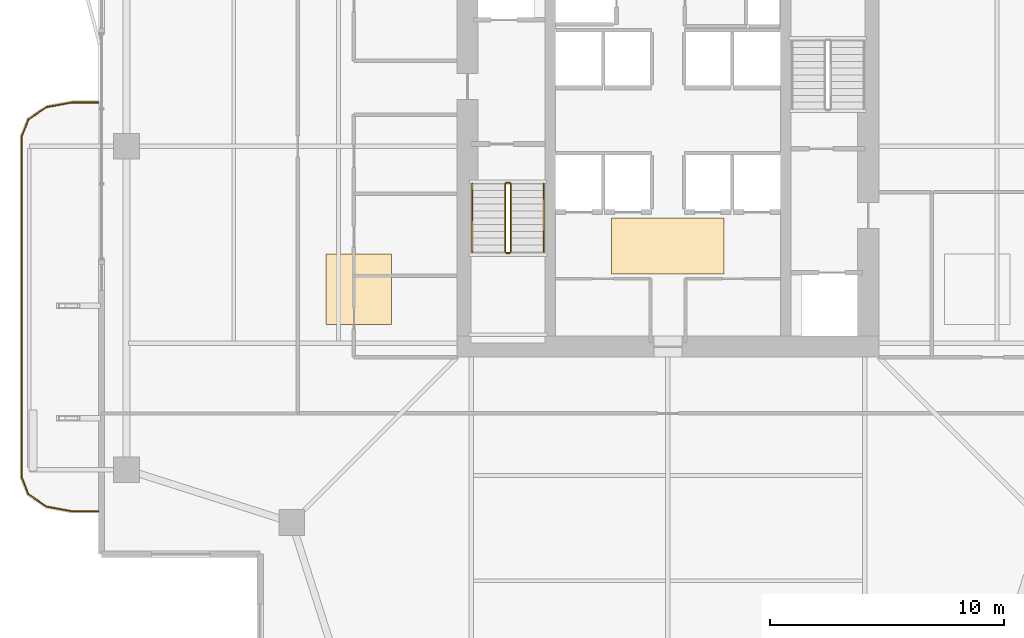
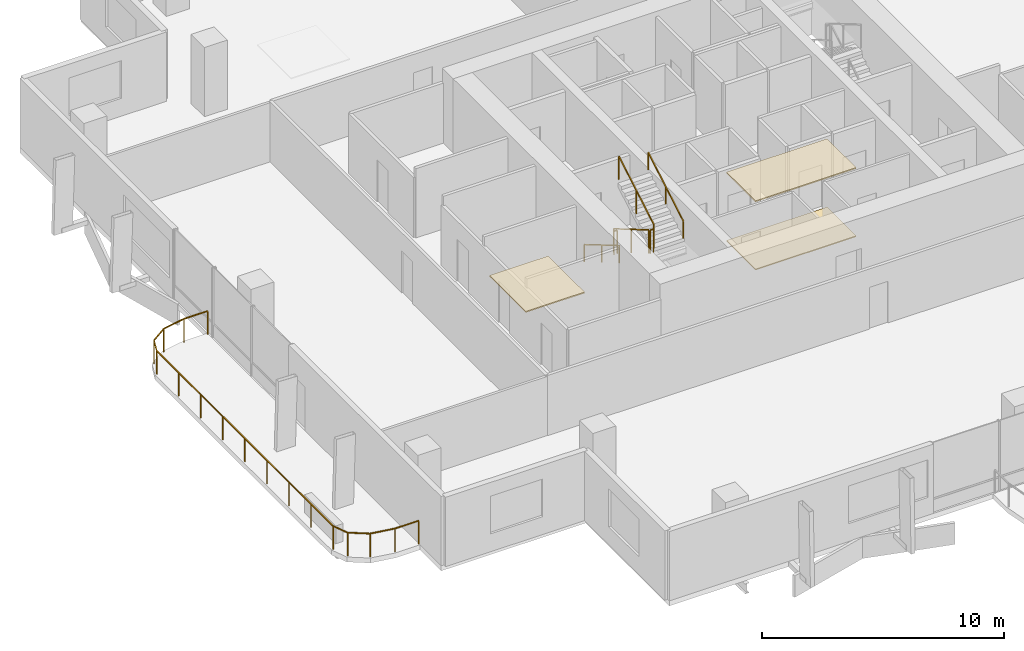
# One storey, part 21 of 23: 7 railings, 3 coverings.
"""IFC4 building model written with IfcOpenShell, lengths in metres."""

from ifc_helpers import new_model, si_unit, direction, frame, origin, origin_2d, place, context, subcontext, project, spatial, polyline, rectangle, outline, extrude, material, layer, layer_set, type_object, element, save


model = new_model("IFC4")

# Units and contexts
model_context = context("Model", 3, precision=1e-05, world=origin(), true_north=direction((0.0, 1.0)))
body_context = subcontext(model_context, "Body", "Model", "MODEL_VIEW")
ifc_project = project(units=[si_unit("LENGTHUNIT", "METRE"), si_unit("AREAUNIT", "SQUARE_METRE"), si_unit("VOLUMEUNIT", "CUBIC_METRE"), si_unit("PLANEANGLEUNIT", "RADIAN"), si_unit("MASSUNIT", "GRAM", prefix="KILO")], contexts=[model_context])

# Site, building, storey
site_placement = place(None, origin())
site = spatial("IfcSite", under=ifc_project, at=site_placement, CompositionType="ELEMENT")
building_placement = place(site_placement, origin())
building = spatial("IfcBuilding", under=site, at=building_placement, Name="Belovzor Exchange Tower", CompositionType="ELEMENT")
storey_placement = place(building_placement, frame((0.0, 0.0, 157.050048828125)))
storey = spatial("IfcBuildingStorey", under=building, at=storey_placement, Name="L38", CompositionType="ELEMENT", Elevation=157.050048828125)

# Railings
ifc_material_1 = material(Name="Stainless Steel Grade 304", Category="steel")
railing_type_1 = type_object("IfcRailingType", Name="Brushed Stainless Steel Stair Handrail 900", PredefinedType="HANDRAIL", material=ifc_material_1)
railing_1_placement = place(storey_placement, frame((20.449951171875, 27.199951171875, 0.17041015625)))
element("IfcRailing", 1, at=railing_1_placement, inside=storey, type_object=railing_type_1, Name="L38 ST-1 stair handrail 1", PredefinedType="HANDRAIL", context=body_context, shape_type="SweptSolid", body=[
    extrude(rectangle(XDim=0.048095703125, YDim=0.048095703125, at=origin_2d()), frame((0.0, 0.0, 0.8759765625), z_axis=(0.0, -0.86209462966, 0.506747323142), x_axis=(1.0, 0.0, 0.0)), (0.0, 0.0, 1.0), 3.36376953125),
    extrude(rectangle(XDim=0.0419921875, YDim=0.0419921875, at=origin_2d()), origin(), (0.0, 0.0, 1.0), 0.851806640625),
    extrude(rectangle(XDim=0.0419921875, YDim=0.0419921875, at=origin_2d()), frame((0.0, -1.449951171875, 0.852294921875)), (0.0, 0.0, 1.0), 0.851806640625),
    extrude(rectangle(XDim=0.0419921875, YDim=0.0419921875, at=origin_2d()), frame((0.0, -2.89990234375, 1.70458984375)), (0.0, 0.0, 1.0), 0.851806640625),
])
railing_2_placement = place(storey_placement, frame((23.5, 24.300048828125, 2.04541015625)))
element("IfcRailing", 2, at=railing_2_placement, inside=storey, type_object=railing_type_1, Name="L38 ST-1 stair handrail 2", PredefinedType="HANDRAIL", context=body_context, shape_type="SweptSolid", body=[
    extrude(rectangle(XDim=0.048095703125, YDim=0.048095703125, at=origin_2d()), frame((0.0, 0.0, 0.8759765625), z_axis=(0.0, 0.86209462966, 0.506747323142), x_axis=(-1.0, 0.0, 0.0)), (0.0, 0.0, 1.0), 3.36376953125),
    extrude(rectangle(XDim=0.0419921875, YDim=0.0419921875, at=origin_2d()), origin(), (0.0, 0.0, 1.0), 0.851806640625),
    extrude(rectangle(XDim=0.0419921875, YDim=0.0419921875, at=origin_2d()), frame((0.0, 1.449951171875, 0.852294921875)), (0.0, 0.0, 1.0), 0.851806640625),
    extrude(rectangle(XDim=0.0419921875, YDim=0.0419921875, at=origin_2d()), frame((0.0, 2.89990234375, 1.70458984375)), (0.0, 0.0, 1.0), 0.851806640625),
])
ifc_material_2 = material(Name="Stainless Steel and Laminated Safety Glass", Category="steel")
railing_type_2 = type_object("IfcRailingType", Name="Laminated Glass & Stainless Steel Balcony Balustrade 1200", PredefinedType="BALUSTRADE", material=ifc_material_2)
railing_3_placement = place(storey_placement, frame((4.489990234375, 30.669921875, 0.0)))
element("IfcRailing", 3, at=railing_3_placement, inside=storey, type_object=railing_type_2, Name="GR-1 Balcony Balustrade L38 West", PredefinedType="BALUSTRADE", context=body_context, shape_type="SweptSolid", body=[
    extrude(rectangle(XDim=0.048095703125, YDim=0.048095703125, at=origin_2d()), frame((0.0, 0.0, 1.17578125), z_axis=(-1.0, 0.0, 0.0), x_axis=(0.0, -1.0, 0.0)), (0.0, 0.0, 1.0), 1.133056640625),
    extrude(rectangle(XDim=0.048095703125, YDim=0.048095703125, at=origin_2d()), frame((-1.133056640625, 0.0, 1.17578125), z_axis=(-0.983644145941, -0.180122719713, 0.0), x_axis=(0.180122719713, -0.983644145941, 0.0)), (0.0, 0.0, 1.0), 1.09375),
    extrude(rectangle(XDim=0.048095703125, YDim=0.048095703125, at=origin_2d()), frame((-2.208984375, -0.197021484375, 1.17578125), z_axis=(-0.826614792125, -0.562768145367, 0.0), x_axis=(0.562768145367, -0.826614792125, 0.0)), (0.0, 0.0, 1.0), 0.9326171875),
    extrude(rectangle(XDim=0.048095703125, YDim=0.048095703125, at=origin_2d()), frame((-2.97998046875, -0.721923828125, 1.17578125), z_axis=(-0.365612923861, -0.930766990125, 0.0), x_axis=(0.930766990125, -0.365612923861, 0.0)), (0.0, 0.0, 1.0), 0.765869140625),
    extrude(rectangle(XDim=0.048095703125, YDim=0.048095703125, at=origin_2d()), frame((-3.260009765625, -1.434814453125, 1.17578125), z_axis=(0.0, -1.0, 0.0), x_axis=(1.0, 0.0, 0.0)), (0.0, 0.0, 1.0), 14.570068359375),
    extrude(rectangle(XDim=0.048095703125, YDim=0.048095703125, at=origin_2d()), frame((-3.260009765625, -16.0048828125, 1.17578125), z_axis=(0.365504480807, -0.930809580156, 0.0), x_axis=(0.930809580156, 0.365504480807, 0.0)), (0.0, 0.0, 1.0), 0.76611328125),
    extrude(rectangle(XDim=0.048095703125, YDim=0.048095703125, at=origin_2d()), frame((-2.97998046875, -16.718017578125, 1.17578125), z_axis=(0.826614792125, -0.562768145367, 0.0), x_axis=(0.562768145367, 0.826614792125, 0.0)), (0.0, 0.0, 1.0), 0.9326171875),
    extrude(rectangle(XDim=0.048095703125, YDim=0.048095703125, at=origin_2d()), frame((-2.208984375, -17.242919921875, 1.17578125), z_axis=(0.983644145941, -0.180122719713, 0.0), x_axis=(0.180122719713, 0.983644145941, 0.0)), (0.0, 0.0, 1.0), 1.09375),
    extrude(rectangle(XDim=0.048095703125, YDim=0.048095703125, at=origin_2d()), frame((-1.133056640625, -17.43994140625, 1.17578125), z_axis=(1.0, 0.0, 0.0), x_axis=(0.0, 1.0, 0.0)), (0.0, 0.0, 1.0), 1.133056640625),
    extrude(rectangle(XDim=0.0419921875, YDim=0.0419921875, at=origin_2d()), origin(), (0.0, 0.0, 1.0), 1.15185546875),
    extrude(rectangle(XDim=0.0419921875, YDim=0.0419921875, at=origin_2d()), frame((-1.133056640625, 0.0, 0.0)), (0.0, 0.0, 1.0), 1.15185546875),
    extrude(rectangle(XDim=0.0419921875, YDim=0.0419921875, at=origin_2d()), frame((-2.208984375, -0.197021484375, 0.0)), (0.0, 0.0, 1.0), 1.15185546875),
    extrude(rectangle(XDim=0.0419921875, YDim=0.0419921875, at=origin_2d()), frame((-2.97998046875, -0.721923828125, 0.0)), (0.0, 0.0, 1.0), 1.15185546875),
    extrude(rectangle(XDim=0.0419921875, YDim=0.0419921875, at=origin_2d()), frame((-3.260009765625, -1.434814453125, 0.0)), (0.0, 0.0, 1.0), 1.15185546875),
    extrude(rectangle(XDim=0.0419921875, YDim=0.0419921875, at=origin_2d()), frame((-3.260009765625, -3.256103515625, 0.0)), (0.0, 0.0, 1.0), 1.15185546875),
    extrude(rectangle(XDim=0.0419921875, YDim=0.0419921875, at=origin_2d()), frame((-3.260009765625, -5.077392578125, 0.0)), (0.0, 0.0, 1.0), 1.15185546875),
    extrude(rectangle(XDim=0.0419921875, YDim=0.0419921875, at=origin_2d()), frame((-3.260009765625, -6.898681640625, 0.0)), (0.0, 0.0, 1.0), 1.15185546875),
    extrude(rectangle(XDim=0.0419921875, YDim=0.0419921875, at=origin_2d()), frame((-3.260009765625, -8.7197265625, 0.0)), (0.0, 0.0, 1.0), 1.15185546875),
    extrude(rectangle(XDim=0.0419921875, YDim=0.0419921875, at=origin_2d()), frame((-3.260009765625, -10.541015625, 0.0)), (0.0, 0.0, 1.0), 1.15185546875),
    extrude(rectangle(XDim=0.0419921875, YDim=0.0419921875, at=origin_2d()), frame((-3.260009765625, -12.3623046875, 0.0)), (0.0, 0.0, 1.0), 1.15185546875),
    extrude(rectangle(XDim=0.0419921875, YDim=0.0419921875, at=origin_2d()), frame((-3.260009765625, -14.18359375, 0.0)), (0.0, 0.0, 1.0), 1.15185546875),
    extrude(rectangle(XDim=0.0419921875, YDim=0.0419921875, at=origin_2d()), frame((-3.260009765625, -16.0048828125, 0.0)), (0.0, 0.0, 1.0), 1.15185546875),
    extrude(rectangle(XDim=0.0419921875, YDim=0.0419921875, at=origin_2d()), frame((-2.97998046875, -16.718017578125, 0.0)), (0.0, 0.0, 1.0), 1.15185546875),
    extrude(rectangle(XDim=0.0419921875, YDim=0.0419921875, at=origin_2d()), frame((-2.208984375, -17.242919921875, 0.0)), (0.0, 0.0, 1.0), 1.15185546875),
    extrude(rectangle(XDim=0.0419921875, YDim=0.0419921875, at=origin_2d()), frame((-1.133056640625, -17.43994140625, 0.0)), (0.0, 0.0, 1.0), 1.15185546875),
    extrude(rectangle(XDim=0.0419921875, YDim=0.0419921875, at=origin_2d()), frame((0.0, -17.43994140625, 0.0)), (0.0, 0.0, 1.0), 1.15185546875),
])
ifc_material_3 = material(Name="Steel S355", Category="steel")
railing_type_3 = type_object("IfcRailingType", Name="Painted Steel Stairwell Guardrail 1200", PredefinedType="GUARDRAIL", material=ifc_material_3)
railing_4_placement = place(storey_placement, frame((21.85009765625, 27.199951171875, 0.17041015625)))
element("IfcRailing", 4, at=railing_4_placement, inside=storey, type_object=railing_type_3, Name="L38 ST-1 stair guard 1", PredefinedType="GUARDRAIL", context=body_context, shape_type="SweptSolid", body=[
    extrude(rectangle(XDim=0.048095703125, YDim=0.048095703125, at=origin_2d()), frame((0.0, 0.0, 1.17578125), z_axis=(0.0, -0.86209462966, 0.506747323142), x_axis=(1.0, 0.0, 0.0)), (0.0, 0.0, 1.0), 3.36376953125),
    extrude(rectangle(XDim=0.0419921875, YDim=0.0419921875, at=origin_2d()), origin(), (0.0, 0.0, 1.0), 1.15185546875),
    extrude(rectangle(XDim=0.0419921875, YDim=0.0419921875, at=origin_2d()), frame((0.0, -1.449951171875, 0.852294921875)), (0.0, 0.0, 1.0), 1.15185546875),
    extrude(rectangle(XDim=0.0419921875, YDim=0.0419921875, at=origin_2d()), frame((0.0, -2.89990234375, 1.70458984375)), (0.0, 0.0, 1.0), 1.15185546875),
])
railing_5_placement = place(storey_placement, frame((21.89990234375, 24.25, 1.875)))
element("IfcRailing", 5, at=railing_5_placement, inside=storey, type_object=railing_type_3, Name="L38 ST-1 stair guard 2", PredefinedType="GUARDRAIL", context=body_context, shape_type="SweptSolid", body=[
    extrude(rectangle(XDim=0.048095703125, YDim=0.048095703125, at=origin_2d()), frame((0.0, 0.0, 1.17578125), z_axis=(1.0, 0.0, 0.0), x_axis=(0.0, 1.0, 0.0)), (0.0, 0.0, 1.0), 0.150146484375),
    extrude(rectangle(XDim=0.0419921875, YDim=0.0419921875, at=origin_2d()), origin(), (0.0, 0.0, 1.0), 1.15185546875),
    extrude(rectangle(XDim=0.0419921875, YDim=0.0419921875, at=origin_2d()), frame((0.150146484375, 0.0, 0.0)), (0.0, 0.0, 1.0), 1.15185546875),
])
railing_6_placement = place(storey_placement, frame((22.10009765625, 24.300048828125, 2.04541015625)))
element("IfcRailing", 6, at=railing_6_placement, inside=storey, type_object=railing_type_3, Name="L38 ST-1 stair guard 3", PredefinedType="GUARDRAIL", context=body_context, shape_type="SweptSolid", body=[
    extrude(rectangle(XDim=0.048095703125, YDim=0.048095703125, at=origin_2d()), frame((0.0, 0.0, 1.17578125), z_axis=(0.0, 0.86209462966, 0.506747323142), x_axis=(-1.0, 0.0, 0.0)), (0.0, 0.0, 1.0), 3.36376953125),
    extrude(rectangle(XDim=0.0419921875, YDim=0.0419921875, at=origin_2d()), origin(), (0.0, 0.0, 1.0), 1.15185546875),
    extrude(rectangle(XDim=0.0419921875, YDim=0.0419921875, at=origin_2d()), frame((0.0, 1.449951171875, 0.852294921875)), (0.0, 0.0, 1.0), 1.15185546875),
    extrude(rectangle(XDim=0.0419921875, YDim=0.0419921875, at=origin_2d()), frame((0.0, 2.89990234375, 1.70458984375)), (0.0, 0.0, 1.0), 1.15185546875),
])
railing_7_placement = place(storey_placement, frame((21.89990234375, 27.25, 0.0)))
element("IfcRailing", 7, at=railing_7_placement, inside=storey, type_object=railing_type_3, Name="L38 ST-1 stair guard 4", PredefinedType="GUARDRAIL", context=body_context, shape_type="SweptSolid", body=[
    extrude(rectangle(XDim=0.048095703125, YDim=0.048095703125, at=origin_2d()), frame((0.0, 0.0, 1.17578125), z_axis=(1.0, 0.0, 0.0), x_axis=(0.0, 1.0, 0.0)), (0.0, 0.0, 1.0), 0.150146484375),
    extrude(rectangle(XDim=0.0419921875, YDim=0.0419921875, at=origin_2d()), origin(), (0.0, 0.0, 1.0), 1.15185546875),
    extrude(rectangle(XDim=0.0419921875, YDim=0.0419921875, at=origin_2d()), frame((0.150146484375, 0.0, 0.0)), (0.0, 0.0, 1.0), 1.15185546875),
])

# Coverings
ifc_material_4 = material(Name="Perforated Powder-Coated Aluminium", Category="aluminium")
ifc_layer_1 = layer(ifc_material_4, 0.06005859375)
ifc_layer_set_1 = layer_set([ifc_layer_1], Name="Perforated Powder-Coated Aluminium")
covering_type_1 = type_object("IfcCoveringType", Name="Perforated Acoustic Metal Tile Suspended Ceiling 60", PredefinedType="CEILING", material=ifc_layer_set_1)
covering_1_placement = place(storey_placement, frame((0.0, 0.0, 3.43505859375)))
element("IfcCovering", 8, at=covering_1_placement, inside=storey, type_object=covering_type_1, Name="CLG-AC60 Suspended Ceiling CLG-L38-LOB", PredefinedType="CEILING", context=body_context, shape_type="SweptSolid", body=[
    extrude(outline(polyline([(26.39990234375, 23.35009765625), (31.199951171875, 23.35009765625), (31.199951171875, 25.75), (26.39990234375, 25.75), (26.39990234375, 23.35009765625)])), origin(), (0.0, 0.0, 1.0), 0.059814453125),
])
covering_2_placement = place(storey_placement, frame((0.0, 0.0, 3.43505859375)))
element("IfcCovering", 9, at=covering_2_placement, inside=storey, type_object=covering_type_1, Name="CLG-AC60 Suspended Ceiling CLG-L38-Z3", PredefinedType="CEILING", context=body_context, shape_type="SweptSolid", body=[
    extrude(outline(polyline([(14.199951171875, 21.199951171875), (17.0, 21.199951171875), (17.0, 24.199951171875), (14.199951171875, 24.199951171875), (14.199951171875, 21.199951171875)])), origin(), (0.0, 0.0, 1.0), 0.059814453125),
])
ifc_material_5 = material(Name="Polished Natural Granite Tile", Category="masonry")
ifc_layer_2 = layer(ifc_material_5, 0.050048828125)
ifc_layer_set_2 = layer_set([ifc_layer_2], Name="Polished Natural Granite Tile")
covering_type_2 = type_object("IfcCoveringType", Name="Polished Karelian Granite & Raised Access Floor Finish 50", PredefinedType="FLOORING", material=ifc_layer_set_2)
covering_3_placement = place(storey_placement, origin())
element("IfcCovering", 10, at=covering_3_placement, inside=storey, type_object=covering_type_2, Name="FLR-GR50 Floor Finish FLR-L38-LOB", PredefinedType="FLOORING", context=body_context, shape_type="SweptSolid", body=[
    extrude(outline(polyline([(26.39990234375, 23.35009765625), (31.199951171875, 23.35009765625), (31.199951171875, 25.75), (26.39990234375, 25.75), (26.39990234375, 23.35009765625)])), origin(), (0.0, 0.0, 1.0), 0.050048828125),
])

save(model, "model.ifc")
